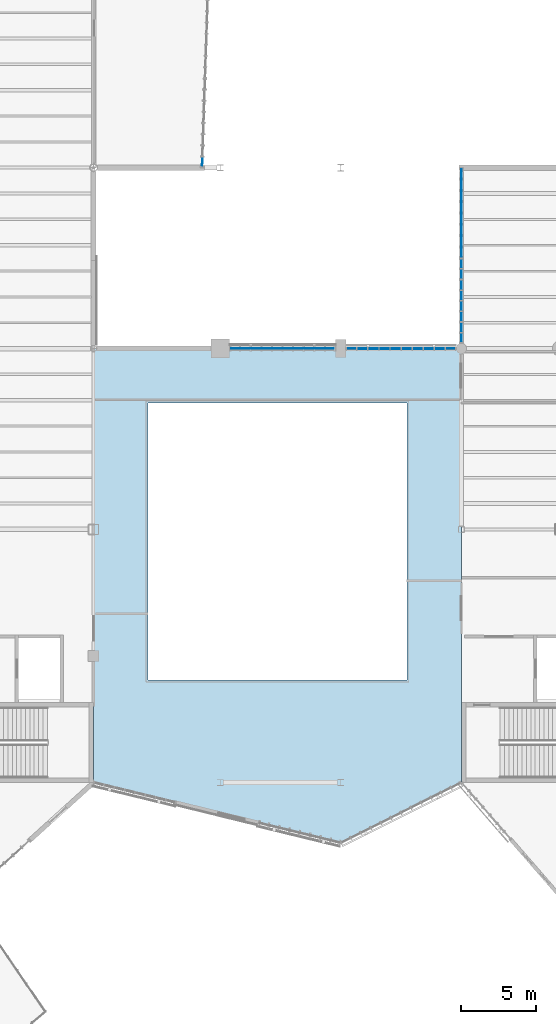
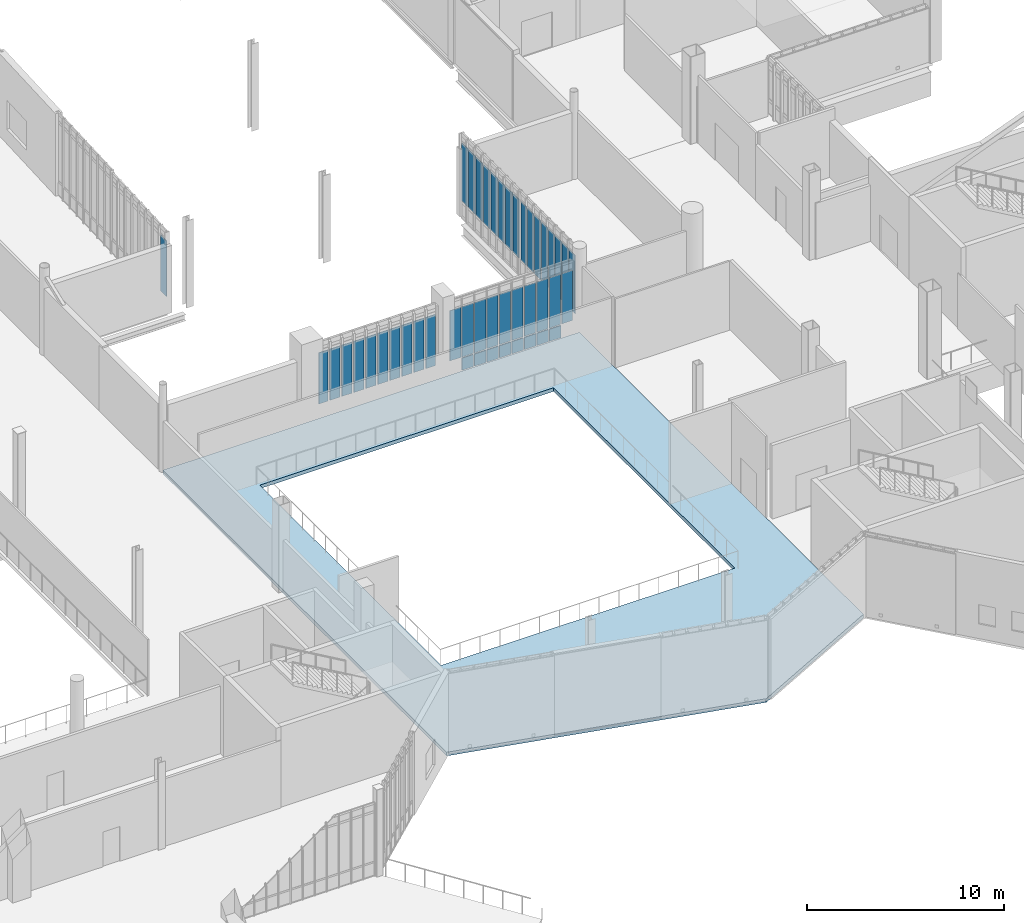
# One storey, part 75 of 127: 45 plates, 1 slab, 5 elements without a shape of their own.
"""IFC4 building model written with IfcOpenShell, lengths in metres."""

from ifc_helpers import new_model, si_unit, direction, frame, origin, origin_2d, place, context, subcontext, project, spatial, polyline, rectangle, outline, extrude, material, layer, layer_set, type_object, element, aggregate, save


model = new_model("IFC4")

# Units and contexts
model_context = context("Model", 3, precision=1e-05, world=origin(), true_north=direction((0.0, 1.0)))
body_context = subcontext(model_context, "Body", "Model", "MODEL_VIEW")
ifc_project = project(units=[si_unit("LENGTHUNIT", "METRE"), si_unit("AREAUNIT", "SQUARE_METRE"), si_unit("VOLUMEUNIT", "CUBIC_METRE"), si_unit("PLANEANGLEUNIT", "RADIAN"), si_unit("MASSUNIT", "GRAM", prefix="KILO")], contexts=[model_context])

# Site, building, storey
site_placement = place(None, origin())
site = spatial("IfcSite", under=ifc_project, at=site_placement, CompositionType="ELEMENT")
building_placement = place(site_placement, origin())
building = spatial("IfcBuilding", under=site, at=building_placement, Name="Larkvane Passage Sports Hall", CompositionType="ELEMENT")
storey_placement = place(building_placement, frame((0.0, 0.0, 5.39990234375)))
storey = spatial("IfcBuildingStorey", under=building, at=storey_placement, Name="L01", CompositionType="ELEMENT", Elevation=5.39990234375)

# Curtain wall, plates
ifc_material_1 = material(Name="Thermally broken aluminium and low-E glazing", Category="aluminium")
curtain_wall_type_1 = type_object("IfcCurtainWallType", Name="CW-UNIT-COURT", PredefinedType="USERDEFINED", material=ifc_material_1)
curtain_wall_1_placement = place(storey_placement, origin())
curtain_wall_1 = element("IfcCurtainWall", 1, at=curtain_wall_1_placement, inside=storey, type_object=curtain_wall_type_1, Name="Curtain wall CW5-L01-048", ObjectType="UNITISED CURTAIN WALL", PredefinedType="USERDEFINED")
ifc_material_2 = material(Name="Insulated aluminium spandrel panel", Category="aluminium")
ifc_layer_1 = layer(ifc_material_2, 0.06494140625)
ifc_layer_set_1 = layer_set([ifc_layer_1], Name="Insulated aluminium spandrel panel")
plate_type_1 = type_object("IfcPlateType", Name="CWP-SPD-65", PredefinedType="CURTAIN_PANEL", material=ifc_layer_set_1)
plate_1_placement = place(storey_placement, frame((111.442138671875, 51.60009765625, 0.065185546875), z_axis=(0.0, 0.0, 1.0), x_axis=(1.0, 0.0, 0.0)))
plate_1 = element("IfcPlate", 2, at=plate_1_placement, type_object=plate_type_1, Name="CW-01 panel 2.1", PredefinedType="CURTAIN_PANEL", context=body_context, shape_type="SweptSolid", body=[
    extrude(rectangle(XDim=0.665771484375, YDim=0.06494140625, at=origin_2d()), origin(), (0.0, 0.0, 1.0), 0.75244140625),
])
plate_2_placement = place(storey_placement, frame((112.173095703125, 51.60009765625, 0.065185546875), z_axis=(0.0, 0.0, 1.0), x_axis=(1.0, 0.0, 0.0)))
plate_2 = element("IfcPlate", 3, at=plate_2_placement, type_object=plate_type_1, Name="CW-01 panel 3.1", PredefinedType="CURTAIN_PANEL", context=body_context, shape_type="SweptSolid", body=[
    extrude(rectangle(XDim=0.665771484375, YDim=0.06494140625, at=origin_2d()), origin(), (0.0, 0.0, 1.0), 0.75244140625),
])
plate_3_placement = place(storey_placement, frame((112.90380859375, 51.60009765625, 0.065185546875), z_axis=(0.0, 0.0, 1.0), x_axis=(1.0, 0.0, 0.0)))
plate_3 = element("IfcPlate", 4, at=plate_3_placement, type_object=plate_type_1, Name="CW-01 panel 4.1", PredefinedType="CURTAIN_PANEL", context=body_context, shape_type="SweptSolid", body=[
    extrude(rectangle(XDim=0.665771484375, YDim=0.06494140625, at=origin_2d()), origin(), (0.0, 0.0, 1.0), 0.75244140625),
])
plate_4_placement = place(storey_placement, frame((113.634521484375, 51.60009765625, 0.065185546875), z_axis=(0.0, 0.0, 1.0), x_axis=(1.0, 0.0, 0.0)))
plate_4 = element("IfcPlate", 5, at=plate_4_placement, type_object=plate_type_1, Name="CW-01 panel 5.1", PredefinedType="CURTAIN_PANEL", context=body_context, shape_type="SweptSolid", body=[
    extrude(rectangle(XDim=0.665771484375, YDim=0.06494140625, at=origin_2d()), origin(), (0.0, 0.0, 1.0), 0.75244140625),
])
plate_5_placement = place(storey_placement, frame((114.365478515625, 51.60009765625, 0.065185546875), z_axis=(0.0, 0.0, 1.0), x_axis=(1.0, 0.0, 0.0)))
plate_5 = element("IfcPlate", 6, at=plate_5_placement, type_object=plate_type_1, Name="CW-01 panel 6.1", PredefinedType="CURTAIN_PANEL", context=body_context, shape_type="SweptSolid", body=[
    extrude(rectangle(XDim=0.665771484375, YDim=0.06494140625, at=origin_2d()), origin(), (0.0, 0.0, 1.0), 0.75244140625),
])
plate_6_placement = place(storey_placement, frame((115.09619140625, 51.60009765625, 0.065185546875), z_axis=(0.0, 0.0, 1.0), x_axis=(1.0, 0.0, 0.0)))
plate_6 = element("IfcPlate", 7, at=plate_6_placement, type_object=plate_type_1, Name="CW-01 panel 7.1", PredefinedType="CURTAIN_PANEL", context=body_context, shape_type="SweptSolid", body=[
    extrude(rectangle(XDim=0.665771484375, YDim=0.06494140625, at=origin_2d()), origin(), (0.0, 0.0, 1.0), 0.75244140625),
])
plate_7_placement = place(storey_placement, frame((115.826904296875, 51.60009765625, 0.065185546875), z_axis=(0.0, 0.0, 1.0), x_axis=(1.0, 0.0, 0.0)))
plate_7 = element("IfcPlate", 8, at=plate_7_placement, type_object=plate_type_1, Name="CW-01 panel 8.1", PredefinedType="CURTAIN_PANEL", context=body_context, shape_type="SweptSolid", body=[
    extrude(rectangle(XDim=0.665771484375, YDim=0.06494140625, at=origin_2d()), origin(), (0.0, 0.0, 1.0), 0.75244140625),
])
plate_8_placement = place(storey_placement, frame((116.557861328125, 51.60009765625, 0.065185546875), z_axis=(0.0, 0.0, 1.0), x_axis=(1.0, 0.0, 0.0)))
plate_8 = element("IfcPlate", 9, at=plate_8_placement, type_object=plate_type_1, Name="CW-01 panel 9.1", PredefinedType="CURTAIN_PANEL", context=body_context, shape_type="SweptSolid", body=[
    extrude(rectangle(XDim=0.665771484375, YDim=0.06494140625, at=origin_2d()), origin(), (0.0, 0.0, 1.0), 0.75244140625),
])
ifc_material_3 = material(Name="Solar-control low-E double glazing", Category="glass")
ifc_layer_2 = layer(ifc_material_3, 0.028076171875)
ifc_layer_set_2 = layer_set([ifc_layer_2], Name="Solar-control low-E double glazing")
plate_type_2 = type_object("IfcPlateType", Name="CWP-VIS-28", PredefinedType="CURTAIN_PANEL", material=ifc_layer_set_2)
plate_9_placement = place(storey_placement, frame((110.7275390625, 51.60009765625, 0.8828125), z_axis=(0.0, 0.0, 1.0), x_axis=(1.0, 0.0, 0.0)))
plate_9 = element("IfcPlate", 10, at=plate_9_placement, type_object=plate_type_2, Name="CW-01 panel 1.2", PredefinedType="CURTAIN_PANEL", context=body_context, shape_type="SweptSolid", body=[
    extrude(rectangle(XDim=0.63330078125, YDim=0.028076171875, at=origin_2d()), origin(), (0.0, 0.0, 1.0), 3.113037109375),
])
plate_10_placement = place(storey_placement, frame((111.442138671875, 51.60009765625, 0.8828125), z_axis=(0.0, 0.0, 1.0), x_axis=(1.0, 0.0, 0.0)))
plate_10 = element("IfcPlate", 11, at=plate_10_placement, type_object=plate_type_2, Name="CW-01 panel 2.2", PredefinedType="CURTAIN_PANEL", context=body_context, shape_type="SweptSolid", body=[
    extrude(rectangle(XDim=0.665771484375, YDim=0.028076171875, at=origin_2d()), origin(), (0.0, 0.0, 1.0), 3.113037109375),
])
plate_11_placement = place(storey_placement, frame((112.173095703125, 51.60009765625, 0.8828125), z_axis=(0.0, 0.0, 1.0), x_axis=(1.0, 0.0, 0.0)))
plate_11 = element("IfcPlate", 12, at=plate_11_placement, type_object=plate_type_2, Name="CW-01 panel 3.2", PredefinedType="CURTAIN_PANEL", context=body_context, shape_type="SweptSolid", body=[
    extrude(rectangle(XDim=0.665771484375, YDim=0.028076171875, at=origin_2d()), origin(), (0.0, 0.0, 1.0), 3.113037109375),
])
plate_12_placement = place(storey_placement, frame((112.90380859375, 51.60009765625, 0.8828125), z_axis=(0.0, 0.0, 1.0), x_axis=(1.0, 0.0, 0.0)))
plate_12 = element("IfcPlate", 13, at=plate_12_placement, type_object=plate_type_2, Name="CW-01 panel 4.2", PredefinedType="CURTAIN_PANEL", context=body_context, shape_type="SweptSolid", body=[
    extrude(rectangle(XDim=0.665771484375, YDim=0.028076171875, at=origin_2d()), origin(), (0.0, 0.0, 1.0), 3.113037109375),
])
plate_13_placement = place(storey_placement, frame((113.634521484375, 51.60009765625, 0.8828125), z_axis=(0.0, 0.0, 1.0), x_axis=(1.0, 0.0, 0.0)))
plate_13 = element("IfcPlate", 14, at=plate_13_placement, type_object=plate_type_2, Name="CW-01 panel 5.2", PredefinedType="CURTAIN_PANEL", context=body_context, shape_type="SweptSolid", body=[
    extrude(rectangle(XDim=0.665771484375, YDim=0.028076171875, at=origin_2d()), origin(), (0.0, 0.0, 1.0), 3.113037109375),
])
plate_14_placement = place(storey_placement, frame((114.365478515625, 51.60009765625, 0.8828125), z_axis=(0.0, 0.0, 1.0), x_axis=(1.0, 0.0, 0.0)))
plate_14 = element("IfcPlate", 15, at=plate_14_placement, type_object=plate_type_2, Name="CW-01 panel 6.2", PredefinedType="CURTAIN_PANEL", context=body_context, shape_type="SweptSolid", body=[
    extrude(rectangle(XDim=0.665771484375, YDim=0.028076171875, at=origin_2d()), origin(), (0.0, 0.0, 1.0), 3.113037109375),
])
plate_15_placement = place(storey_placement, frame((115.09619140625, 51.60009765625, 0.8828125), z_axis=(0.0, 0.0, 1.0), x_axis=(1.0, 0.0, 0.0)))
plate_15 = element("IfcPlate", 16, at=plate_15_placement, type_object=plate_type_2, Name="CW-01 panel 7.2", PredefinedType="CURTAIN_PANEL", context=body_context, shape_type="SweptSolid", body=[
    extrude(rectangle(XDim=0.665771484375, YDim=0.028076171875, at=origin_2d()), origin(), (0.0, 0.0, 1.0), 3.113037109375),
])
plate_16_placement = place(storey_placement, frame((115.826904296875, 51.60009765625, 0.8828125), z_axis=(0.0, 0.0, 1.0), x_axis=(1.0, 0.0, 0.0)))
plate_16 = element("IfcPlate", 17, at=plate_16_placement, type_object=plate_type_2, Name="CW-01 panel 8.2", PredefinedType="CURTAIN_PANEL", context=body_context, shape_type="SweptSolid", body=[
    extrude(rectangle(XDim=0.665771484375, YDim=0.028076171875, at=origin_2d()), origin(), (0.0, 0.0, 1.0), 3.113037109375),
])
plate_17_placement = place(storey_placement, frame((116.557861328125, 51.60009765625, 0.8828125), z_axis=(0.0, 0.0, 1.0), x_axis=(1.0, 0.0, 0.0)))
plate_17 = element("IfcPlate", 18, at=plate_17_placement, type_object=plate_type_2, Name="CW-01 panel 9.2", PredefinedType="CURTAIN_PANEL", context=body_context, shape_type="SweptSolid", body=[
    extrude(rectangle(XDim=0.665771484375, YDim=0.028076171875, at=origin_2d()), origin(), (0.0, 0.0, 1.0), 3.113037109375),
])
plate_18_placement = place(storey_placement, frame((117.2724609375, 51.60009765625, 0.8828125), z_axis=(0.0, 0.0, 1.0), x_axis=(1.0, 0.0, 0.0)))
plate_18 = element("IfcPlate", 19, at=plate_18_placement, type_object=plate_type_2, Name="CW-01 panel 10.2", PredefinedType="CURTAIN_PANEL", context=body_context, shape_type="SweptSolid", body=[
    extrude(rectangle(XDim=0.63330078125, YDim=0.028076171875, at=origin_2d()), origin(), (0.0, 0.0, 1.0), 3.113037109375),
])
aggregate(curtain_wall_1, [plate_9, plate_1, plate_10, plate_2, plate_11, plate_3, plate_12, plate_4, plate_13, plate_5, plate_14, plate_6, plate_15, plate_7, plate_16, plate_8, plate_17, plate_18])

curtain_wall_type_2 = type_object("IfcCurtainWallType", Name="CW-UNIT-VEIL", PredefinedType="USERDEFINED", material=ifc_material_1)
curtain_wall_2_placement = place(storey_placement, origin())
curtain_wall_2 = element("IfcCurtainWall", 20, at=curtain_wall_2_placement, inside=storey, type_object=curtain_wall_type_2, Name="Curtain wall CW5-L01-049", ObjectType="UNITISED CURTAIN WALL", PredefinedType="USERDEFINED")
ifc_material_4 = material(Name="Laminated acoustic low-E glazing", Category="glass")
ifc_layer_3 = layer(ifc_material_4, 0.031982421875)
ifc_layer_set_3 = layer_set([ifc_layer_3], Name="Laminated acoustic low-E glazing")
plate_type_3 = type_object("IfcPlateType", Name="CWP-VIS-32", PredefinedType="CURTAIN_PANEL", material=ifc_layer_set_3)
plate_19_placement = place(storey_placement, frame((118.0, 52.318115234375, 0.8876953125), z_axis=(0.0, 0.0, 1.0), x_axis=(0.0, 1.0, 0.0)))
plate_19 = element("IfcPlate", 21, at=plate_19_placement, type_object=plate_type_3, Name="CW-02 panel 1.2", PredefinedType="CURTAIN_PANEL", context=body_context, shape_type="SweptSolid", body=[
    extrude(rectangle(XDim=0.59423828125, YDim=0.031982421875, at=origin_2d()), origin(), (0.0, 0.0, 1.0), 3.625),
])
plate_20_placement = place(storey_placement, frame((118.0, 53.006103515625, 0.8876953125), z_axis=(0.0, 0.0, 1.0), x_axis=(0.0, 1.0, 0.0)))
plate_20 = element("IfcPlate", 22, at=plate_20_placement, type_object=plate_type_3, Name="CW-02 panel 2.2", PredefinedType="CURTAIN_PANEL", context=body_context, shape_type="SweptSolid", body=[
    extrude(rectangle(XDim=0.6318359375, YDim=0.031982421875, at=origin_2d()), origin(), (0.0, 0.0, 1.0), 3.625),
])
plate_21_placement = place(storey_placement, frame((118.0, 53.712890625, 0.8876953125), z_axis=(0.0, 0.0, 1.0), x_axis=(0.0, 1.0, 0.0)))
plate_21 = element("IfcPlate", 23, at=plate_21_placement, type_object=plate_type_3, Name="CW-02 panel 3.2", PredefinedType="CURTAIN_PANEL", context=body_context, shape_type="SweptSolid", body=[
    extrude(rectangle(XDim=0.6318359375, YDim=0.031982421875, at=origin_2d()), origin(), (0.0, 0.0, 1.0), 3.625),
])
plate_22_placement = place(storey_placement, frame((118.0, 54.419677734375, 0.8876953125), z_axis=(0.0, 0.0, 1.0), x_axis=(0.0, 1.0, 0.0)))
plate_22 = element("IfcPlate", 24, at=plate_22_placement, type_object=plate_type_3, Name="CW-02 panel 4.2", PredefinedType="CURTAIN_PANEL", context=body_context, shape_type="SweptSolid", body=[
    extrude(rectangle(XDim=0.6318359375, YDim=0.031982421875, at=origin_2d()), origin(), (0.0, 0.0, 1.0), 3.625),
])
plate_23_placement = place(storey_placement, frame((118.0, 55.12646484375, 0.8876953125), z_axis=(0.0, 0.0, 1.0), x_axis=(0.0, 1.0, 0.0)))
plate_23 = element("IfcPlate", 25, at=plate_23_placement, type_object=plate_type_3, Name="CW-02 panel 5.2", PredefinedType="CURTAIN_PANEL", context=body_context, shape_type="SweptSolid", body=[
    extrude(rectangle(XDim=0.6318359375, YDim=0.031982421875, at=origin_2d()), origin(), (0.0, 0.0, 1.0), 3.625),
])
plate_24_placement = place(storey_placement, frame((118.0, 55.8330078125, 0.8876953125), z_axis=(0.0, 0.0, 1.0), x_axis=(0.0, 1.0, 0.0)))
plate_24 = element("IfcPlate", 26, at=plate_24_placement, type_object=plate_type_3, Name="CW-02 panel 6.2", PredefinedType="CURTAIN_PANEL", context=body_context, shape_type="SweptSolid", body=[
    extrude(rectangle(XDim=0.6318359375, YDim=0.031982421875, at=origin_2d()), origin(), (0.0, 0.0, 1.0), 3.625),
])
plate_25_placement = place(storey_placement, frame((118.0, 56.539794921875, 0.8876953125), z_axis=(0.0, 0.0, 1.0), x_axis=(0.0, 1.0, 0.0)))
plate_25 = element("IfcPlate", 27, at=plate_25_placement, type_object=plate_type_3, Name="CW-02 panel 7.2", PredefinedType="CURTAIN_PANEL", context=body_context, shape_type="SweptSolid", body=[
    extrude(rectangle(XDim=0.6318359375, YDim=0.031982421875, at=origin_2d()), origin(), (0.0, 0.0, 1.0), 3.625),
])
plate_26_placement = place(storey_placement, frame((118.0, 57.227783203125, 0.8876953125), z_axis=(0.0, 0.0, 1.0), x_axis=(0.0, 1.0, 0.0)))
plate_26 = element("IfcPlate", 28, at=plate_26_placement, type_object=plate_type_3, Name="CW-02 panel 8.2", PredefinedType="CURTAIN_PANEL", context=body_context, shape_type="SweptSolid", body=[
    extrude(rectangle(XDim=0.59423828125, YDim=0.031982421875, at=origin_2d()), origin(), (0.0, 0.0, 1.0), 3.625),
])
aggregate(curtain_wall_2, [plate_19, plate_20, plate_21, plate_22, plate_23, plate_24, plate_25, plate_26])

# Curtain wall, plate
curtain_wall_type_3 = type_object("IfcCurtainWallType", Name="CW-STICK-FOYER", PredefinedType="USERDEFINED", material=ifc_material_1)
curtain_wall_3_placement = place(storey_placement, origin())
curtain_wall_3 = element("IfcCurtainWall", 29, at=curtain_wall_3_placement, inside=storey, type_object=curtain_wall_type_3, Name="Curtain wall CW5-L01-046", ObjectType="STICK CURTAIN WALL", PredefinedType="USERDEFINED")
ifc_material_5 = material(Name="High-impact court low-E glazing", Category="glass")
ifc_layer_4 = layer(ifc_material_5, 0.035888671875)
ifc_layer_set_4 = layer_set([ifc_layer_4], Name="High-impact court low-E glazing")
plate_type_4 = type_object("IfcPlateType", Name="CWP-VIS-36", PredefinedType="CURTAIN_PANEL", material=ifc_layer_set_4)
plate_27_placement = place(storey_placement, frame((100.813232421875, 63.99072265625, 0.89013671875), z_axis=(0.0, 0.0, 1.0), x_axis=(-0.033688920742, -0.999432367206, 0.0)))
plate_27 = element("IfcPlate", 30, at=plate_27_placement, type_object=plate_type_4, Name="CW-03 panel 8.2", PredefinedType="CURTAIN_PANEL", context=body_context, shape_type="SweptSolid", body=[
    extrude(rectangle(XDim=0.6220703125, YDim=0.035888671875, at=origin_2d()), origin(), (0.0, 0.0, 1.0), 3.4580078125),
])
aggregate(curtain_wall_3, [plate_27])

# Curtain wall, plates
curtain_wall_4_placement = place(storey_placement, origin())
curtain_wall_4 = element("IfcCurtainWall", 31, at=curtain_wall_4_placement, inside=storey, type_object=curtain_wall_type_3, Name="Curtain wall CW5-L01-050", ObjectType="STICK CURTAIN WALL", PredefinedType="USERDEFINED")
plate_28_placement = place(storey_placement, frame((118.0, 57.99755859375, 0.89501953125), z_axis=(0.0, 0.0, 1.0), x_axis=(0.0, 1.0, 0.0)))
plate_28 = element("IfcPlate", 32, at=plate_28_placement, type_object=plate_type_4, Name="CW-03 panel 1.2", PredefinedType="CURTAIN_PANEL", context=body_context, shape_type="SweptSolid", body=[
    extrude(rectangle(XDim=0.614990234375, YDim=0.035888671875, at=origin_2d()), origin(), (0.0, 0.0, 1.0), 3.610107421875),
])
plate_29_placement = place(storey_placement, frame((118.0, 58.72509765625, 0.89501953125), z_axis=(0.0, 0.0, 1.0), x_axis=(0.0, 1.0, 0.0)))
plate_29 = element("IfcPlate", 33, at=plate_29_placement, type_object=plate_type_4, Name="CW-03 panel 2.2", PredefinedType="CURTAIN_PANEL", context=body_context, shape_type="SweptSolid", body=[
    extrude(rectangle(XDim=0.659912109375, YDim=0.035888671875, at=origin_2d()), origin(), (0.0, 0.0, 1.0), 3.610107421875),
])
plate_30_placement = place(storey_placement, frame((118.0, 59.47509765625, 0.89501953125), z_axis=(0.0, 0.0, 1.0), x_axis=(0.0, 1.0, 0.0)))
plate_30 = element("IfcPlate", 34, at=plate_30_placement, type_object=plate_type_4, Name="CW-03 panel 3.2", PredefinedType="CURTAIN_PANEL", context=body_context, shape_type="SweptSolid", body=[
    extrude(rectangle(XDim=0.659912109375, YDim=0.035888671875, at=origin_2d()), origin(), (0.0, 0.0, 1.0), 3.610107421875),
])
plate_31_placement = place(storey_placement, frame((118.0, 60.22509765625, 0.89501953125), z_axis=(0.0, 0.0, 1.0), x_axis=(0.0, 1.0, 0.0)))
plate_31 = element("IfcPlate", 35, at=plate_31_placement, type_object=plate_type_4, Name="CW-03 panel 4.2", PredefinedType="CURTAIN_PANEL", context=body_context, shape_type="SweptSolid", body=[
    extrude(rectangle(XDim=0.659912109375, YDim=0.035888671875, at=origin_2d()), origin(), (0.0, 0.0, 1.0), 3.610107421875),
])
plate_32_placement = place(storey_placement, frame((118.0, 60.97509765625, 0.89501953125), z_axis=(0.0, 0.0, 1.0), x_axis=(0.0, 1.0, 0.0)))
plate_32 = element("IfcPlate", 36, at=plate_32_placement, type_object=plate_type_4, Name="CW-03 panel 5.2", PredefinedType="CURTAIN_PANEL", context=body_context, shape_type="SweptSolid", body=[
    extrude(rectangle(XDim=0.659912109375, YDim=0.035888671875, at=origin_2d()), origin(), (0.0, 0.0, 1.0), 3.610107421875),
])
plate_33_placement = place(storey_placement, frame((118.0, 61.72509765625, 0.89501953125), z_axis=(0.0, 0.0, 1.0), x_axis=(0.0, 1.0, 0.0)))
plate_33 = element("IfcPlate", 37, at=plate_33_placement, type_object=plate_type_4, Name="CW-03 panel 6.2", PredefinedType="CURTAIN_PANEL", context=body_context, shape_type="SweptSolid", body=[
    extrude(rectangle(XDim=0.659912109375, YDim=0.035888671875, at=origin_2d()), origin(), (0.0, 0.0, 1.0), 3.610107421875),
])
plate_34_placement = place(storey_placement, frame((118.0, 62.47509765625, 0.89501953125), z_axis=(0.0, 0.0, 1.0), x_axis=(0.0, 1.0, 0.0)))
plate_34 = element("IfcPlate", 38, at=plate_34_placement, type_object=plate_type_4, Name="CW-03 panel 7.2", PredefinedType="CURTAIN_PANEL", context=body_context, shape_type="SweptSolid", body=[
    extrude(rectangle(XDim=0.659912109375, YDim=0.035888671875, at=origin_2d()), origin(), (0.0, 0.0, 1.0), 3.610107421875),
])
plate_35_placement = place(storey_placement, frame((118.0, 63.202392578125, 0.89501953125), z_axis=(0.0, 0.0, 1.0), x_axis=(0.0, 1.0, 0.0)))
plate_35 = element("IfcPlate", 39, at=plate_35_placement, type_object=plate_type_4, Name="CW-03 panel 8.2", PredefinedType="CURTAIN_PANEL", context=body_context, shape_type="SweptSolid", body=[
    extrude(rectangle(XDim=0.614990234375, YDim=0.035888671875, at=origin_2d()), origin(), (0.0, 0.0, 1.0), 3.610107421875),
])
aggregate(curtain_wall_4, [plate_28, plate_29, plate_30, plate_31, plate_32, plate_33, plate_34, plate_35])

curtain_wall_type_4 = type_object("IfcCurtainWallType", Name="CW-CLINIC", PredefinedType="USERDEFINED", material=ifc_material_1)
curtain_wall_5_placement = place(storey_placement, origin())
curtain_wall_5 = element("IfcCurtainWall", 40, at=curtain_wall_5_placement, inside=storey, type_object=curtain_wall_type_4, Name="Curtain wall CW5-L01-047", ObjectType="UNITISED CURTAIN WALL", PredefinedType="USERDEFINED")
ifc_material_6 = material(Name="Triple-laminated typhoon glazing", Category="glass")
ifc_layer_5 = layer(ifc_material_6, 0.0419921875)
ifc_layer_set_5 = layer_set([ifc_layer_5], Name="Triple-laminated typhoon glazing")
plate_type_5 = type_object("IfcPlateType", Name="CWP-VIS-42", PredefinedType="CURTAIN_PANEL", material=ifc_layer_set_5)
plate_36_placement = place(storey_placement, frame((103.000244140625, 51.60009765625, 0.905029296875), z_axis=(0.0, 0.0, 1.0), x_axis=(1.0, 0.0, 0.0)))
plate_36 = element("IfcPlate", 41, at=plate_36_placement, type_object=plate_type_5, Name="CW-05 panel 1.2", PredefinedType="CURTAIN_PANEL", context=body_context, shape_type="SweptSolid", body=[
    extrude(rectangle(XDim=0.538330078125, YDim=0.0419921875, at=origin_2d()), origin(), (0.0, 0.0, 1.0), 3.1640625),
])
plate_37_placement = place(storey_placement, frame((103.676025390625, 51.60009765625, 0.905029296875), z_axis=(0.0, 0.0, 1.0), x_axis=(1.0, 0.0, 0.0)))
plate_37 = element("IfcPlate", 42, at=plate_37_placement, type_object=plate_type_5, Name="CW-05 panel 2.2", PredefinedType="CURTAIN_PANEL", context=body_context, shape_type="SweptSolid", body=[
    extrude(rectangle(XDim=0.59326171875, YDim=0.0419921875, at=origin_2d()), origin(), (0.0, 0.0, 1.0), 3.1640625),
])
plate_38_placement = place(storey_placement, frame((104.379150390625, 51.60009765625, 0.905029296875), z_axis=(0.0, 0.0, 1.0), x_axis=(1.0, 0.0, 0.0)))
plate_38 = element("IfcPlate", 43, at=plate_38_placement, type_object=plate_type_5, Name="CW-05 panel 3.2", PredefinedType="CURTAIN_PANEL", context=body_context, shape_type="SweptSolid", body=[
    extrude(rectangle(XDim=0.59326171875, YDim=0.0419921875, at=origin_2d()), origin(), (0.0, 0.0, 1.0), 3.1640625),
])
plate_39_placement = place(storey_placement, frame((105.08251953125, 51.60009765625, 0.905029296875), z_axis=(0.0, 0.0, 1.0), x_axis=(1.0, 0.0, 0.0)))
plate_39 = element("IfcPlate", 44, at=plate_39_placement, type_object=plate_type_5, Name="CW-05 panel 4.2", PredefinedType="CURTAIN_PANEL", context=body_context, shape_type="SweptSolid", body=[
    extrude(rectangle(XDim=0.59326171875, YDim=0.0419921875, at=origin_2d()), origin(), (0.0, 0.0, 1.0), 3.1640625),
])
plate_40_placement = place(storey_placement, frame((105.785888671875, 51.60009765625, 0.905029296875), z_axis=(0.0, 0.0, 1.0), x_axis=(1.0, 0.0, 0.0)))
plate_40 = element("IfcPlate", 45, at=plate_40_placement, type_object=plate_type_5, Name="CW-05 panel 5.2", PredefinedType="CURTAIN_PANEL", context=body_context, shape_type="SweptSolid", body=[
    extrude(rectangle(XDim=0.59326171875, YDim=0.0419921875, at=origin_2d()), origin(), (0.0, 0.0, 1.0), 3.1640625),
])
plate_41_placement = place(storey_placement, frame((106.4892578125, 51.60009765625, 0.905029296875), z_axis=(0.0, 0.0, 1.0), x_axis=(1.0, 0.0, 0.0)))
plate_41 = element("IfcPlate", 46, at=plate_41_placement, type_object=plate_type_5, Name="CW-05 panel 6.2", PredefinedType="CURTAIN_PANEL", context=body_context, shape_type="SweptSolid", body=[
    extrude(rectangle(XDim=0.59326171875, YDim=0.0419921875, at=origin_2d()), origin(), (0.0, 0.0, 1.0), 3.1640625),
])
plate_42_placement = place(storey_placement, frame((107.1923828125, 51.60009765625, 0.905029296875), z_axis=(0.0, 0.0, 1.0), x_axis=(1.0, 0.0, 0.0)))
plate_42 = element("IfcPlate", 47, at=plate_42_placement, type_object=plate_type_5, Name="CW-05 panel 7.2", PredefinedType="CURTAIN_PANEL", context=body_context, shape_type="SweptSolid", body=[
    extrude(rectangle(XDim=0.59326171875, YDim=0.0419921875, at=origin_2d()), origin(), (0.0, 0.0, 1.0), 3.1640625),
])
plate_43_placement = place(storey_placement, frame((107.895751953125, 51.60009765625, 0.905029296875), z_axis=(0.0, 0.0, 1.0), x_axis=(1.0, 0.0, 0.0)))
plate_43 = element("IfcPlate", 48, at=plate_43_placement, type_object=plate_type_5, Name="CW-05 panel 8.2", PredefinedType="CURTAIN_PANEL", context=body_context, shape_type="SweptSolid", body=[
    extrude(rectangle(XDim=0.59326171875, YDim=0.0419921875, at=origin_2d()), origin(), (0.0, 0.0, 1.0), 3.1640625),
])
plate_44_placement = place(storey_placement, frame((108.59912109375, 51.60009765625, 0.905029296875), z_axis=(0.0, 0.0, 1.0), x_axis=(1.0, 0.0, 0.0)))
plate_44 = element("IfcPlate", 49, at=plate_44_placement, type_object=plate_type_5, Name="CW-05 panel 9.2", PredefinedType="CURTAIN_PANEL", context=body_context, shape_type="SweptSolid", body=[
    extrude(rectangle(XDim=0.59326171875, YDim=0.0419921875, at=origin_2d()), origin(), (0.0, 0.0, 1.0), 3.1640625),
])
plate_45_placement = place(storey_placement, frame((109.27490234375, 51.60009765625, 0.905029296875), z_axis=(0.0, 0.0, 1.0), x_axis=(1.0, 0.0, 0.0)))
plate_45 = element("IfcPlate", 50, at=plate_45_placement, type_object=plate_type_5, Name="CW-05 panel 10.2", PredefinedType="CURTAIN_PANEL", context=body_context, shape_type="SweptSolid", body=[
    extrude(rectangle(XDim=0.538330078125, YDim=0.0419921875, at=origin_2d()), origin(), (0.0, 0.0, 1.0), 3.1640625),
])
aggregate(curtain_wall_5, [plate_36, plate_37, plate_38, plate_39, plate_40, plate_41, plate_42, plate_43, plate_44, plate_45])

# Slab
ifc_material_7 = material(Name="Concrete C40/50", Category="concrete")
ifc_layer_6 = layer(ifc_material_7, 0.22509765625)
ifc_layer_set_6 = layer_set([ifc_layer_6], Name="Concrete C40/50")
slab_type = type_object("IfcSlabType", Name="SLB-FLR-210", PredefinedType="FLOOR", material=ifc_layer_set_6)
slab_placement = place(storey_placement, frame((0.0, 0.0, -0.224853515625)))
element("IfcSlab", 51, at=slab_placement, inside=storey, type_object=slab_type, Name="Structural floor slab SLAB-L01-V5", PredefinedType="FLOOR", context=body_context, shape_type="SweptSolid", body=[
    extrude(outline(polyline([(93.60009765625, 22.800048828125), (110.0, 18.800048828125), (118.0, 22.800048828125), (118.0, 51.60009765625), (93.60009765625, 51.60009765625), (93.60009765625, 22.800048828125)]), holes=[polyline([(97.199951171875, 48.0), (114.39990234375, 48.0), (114.39990234375, 29.60009765625), (97.199951171875, 29.60009765625), (97.199951171875, 48.0)])]), origin(), (0.0, 0.0, 1.0), 0.224853515625),
])

save(model, "model.ifc")
